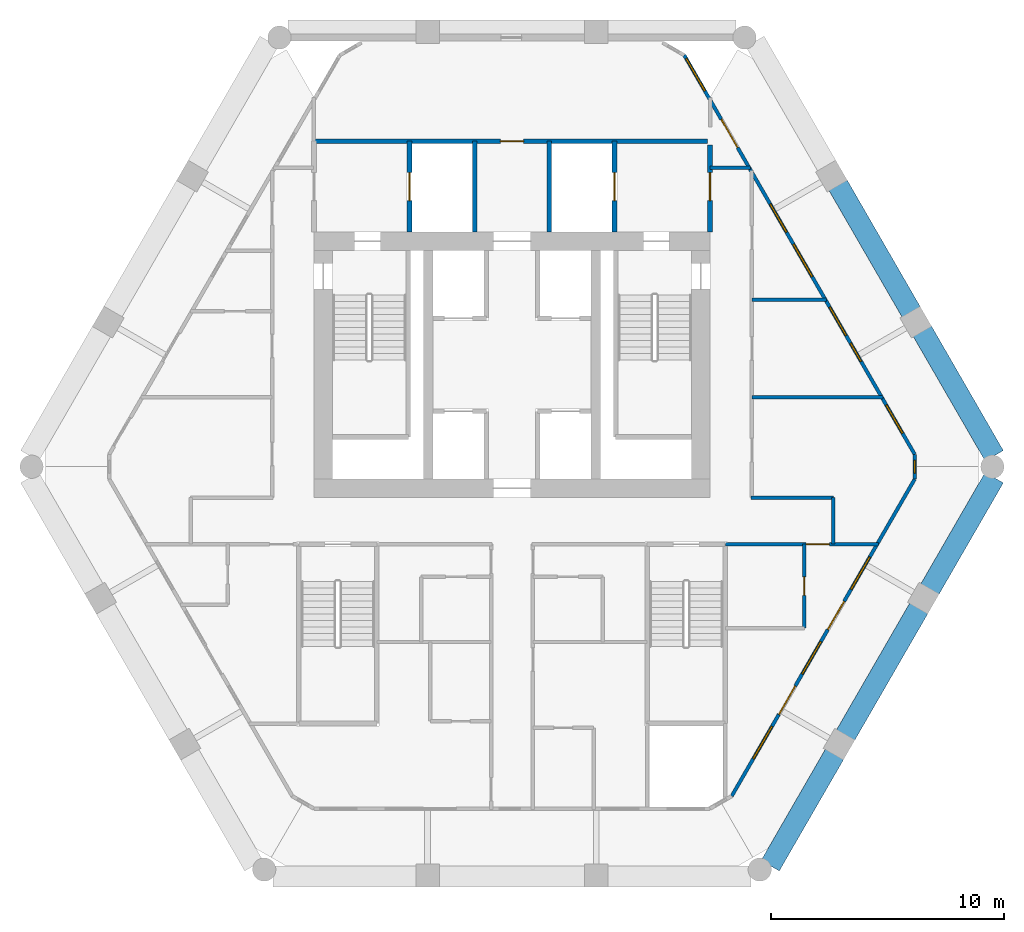
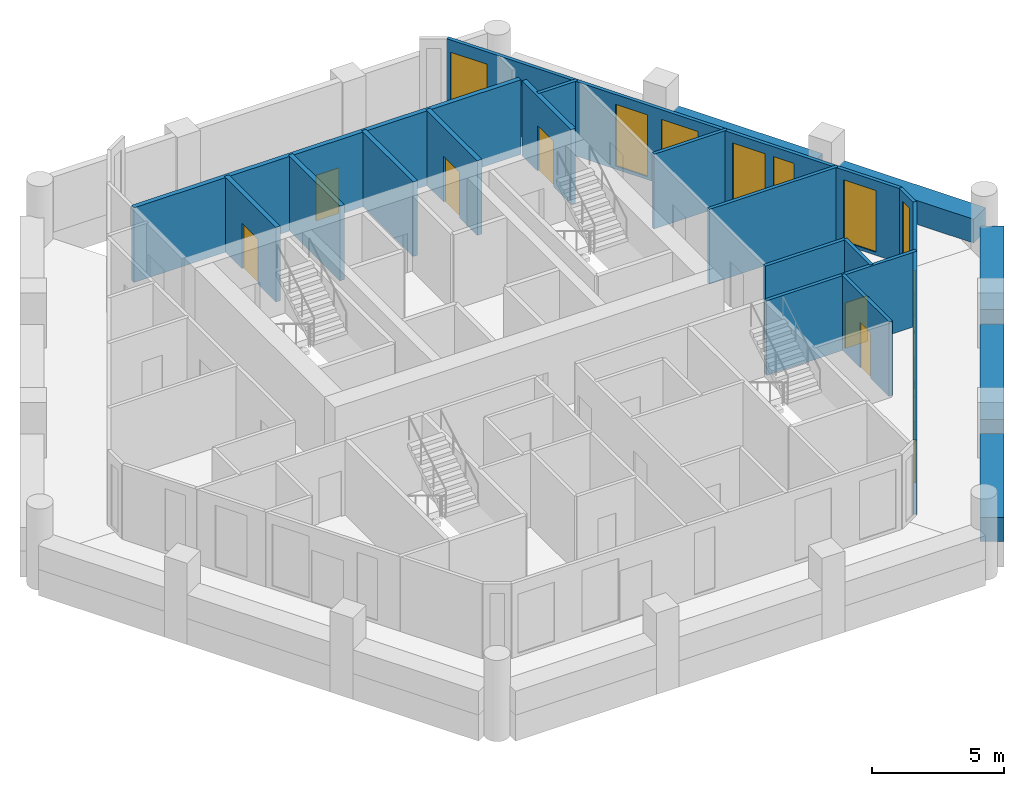
# One storey, part 5 of 7: 21 walls, 10 windows, 9 doors, 19 openings.
"""IFC4 building model written with IfcOpenShell, lengths in metres."""

from ifc_helpers import new_model, si_unit, direction, frame, frame_2d, origin, place, context, subcontext, project, spatial, rectangle, extrude, material, layer, layer_set, type_object, element, fill, save


model = new_model("IFC4")

# Units and contexts
model_context = context("Model", 3, precision=1e-05, world=origin(), true_north=direction((0.0, 1.0)))
body_context = subcontext(model_context, "Body", "Model", "MODEL_VIEW")
ifc_project = project(units=[si_unit("LENGTHUNIT", "METRE"), si_unit("AREAUNIT", "SQUARE_METRE"), si_unit("VOLUMEUNIT", "CUBIC_METRE"), si_unit("PLANEANGLEUNIT", "RADIAN"), si_unit("MASSUNIT", "GRAM", prefix="KILO")], contexts=[model_context])

# Site, building, storey
site_placement = place(None, origin())
site = spatial("IfcSite", under=ifc_project, at=site_placement, CompositionType="ELEMENT")
building_placement = place(site_placement, origin())
building = spatial("IfcBuilding", under=site, at=building_placement, Name="Ostrander Bayou Hotel Tower", CompositionType="ELEMENT")
storey_placement = place(building_placement, frame((0.0, 0.0, 172.0)))
storey = spatial("IfcBuildingStorey", under=building, at=storey_placement, Name="L42", CompositionType="ELEMENT", Elevation=172.0)

# Wall, openings, doors, windows
ifc_material_1 = material(Name="Aluminium framed insulated wall", Category="aluminium")
ifc_layer_1 = layer(ifc_material_1, 0.14990234375)
ifc_layer_set_1 = layer_set([ifc_layer_1], Name="GW1 glass-line wall 150 mm")
wall_type_1 = type_object("IfcWallType", Name="GW1 glass-line wall 150 mm", PredefinedType="SOLIDWALL", material=ifc_layer_set_1)
wall_1_placement = place(storey_placement, frame((9.430419921875, -14.51611328125, 0.0), z_axis=(0.0, 0.0, 1.0), x_axis=(0.500004460396, 0.866022828558, 0.0)))
wall_1 = element("IfcWall", 1, at=wall_1_placement, inside=storey, type_object=wall_type_1, Name="GW1 L42 SE 1", PredefinedType="SOLIDWALL", context=body_context, shape_type="SweptSolid", body=[
    extrude(rectangle(XDim=15.712158203125, YDim=0.14990234375, at=frame_2d((7.85595703125, 0.0))), origin(), (0.0, 0.0, 1.0), 3.449951171875),
])
opening_1_placement = place(wall_1_placement, frame((1.856201171875, 0.0, 0.14990234375)))
opening_1 = element("IfcOpeningElement", 2, at=opening_1_placement, cuts=wall_1, Name="Opening W3", PredefinedType="OPENING", context=body_context, shape_type="SweptSolid", body=[
    extrude(rectangle(XDim=1.60009765625, YDim=2.85009765625, at=frame_2d((0.800048828125, 1.425048828125))), frame((0.0, 0.074951171875, 0.0), z_axis=(0.0, -1.0, 0.0), x_axis=(1.0, 0.0, 0.0)), (0.0, 0.0, 1.0), 0.14990234375),
])
opening_2_placement = place(wall_1_placement, frame((4.05615234375, 0.0, 0.0)))
opening_2 = element("IfcOpeningElement", 3, at=opening_2_placement, cuts=wall_1, Name="Opening T41-804", PredefinedType="OPENING", context=body_context, shape_type="SweptSolid", body=[
    extrude(rectangle(XDim=1.39990234375, YDim=2.39990234375, at=frame_2d((0.699951171875, 1.199951171875))), frame((0.0, 0.074951171875, 0.0), z_axis=(0.0, -1.0, 0.0), x_axis=(1.0, 0.0, 0.0)), (0.0, 0.0, 1.0), 0.14990234375),
])
opening_3_placement = place(wall_1_placement, frame((6.05615234375, 0.0, 0.14990234375)))
opening_3 = element("IfcOpeningElement", 4, at=opening_3_placement, cuts=wall_1, Name="Opening W3", PredefinedType="OPENING", context=body_context, shape_type="SweptSolid", body=[
    extrude(rectangle(XDim=1.60009765625, YDim=2.85009765625, at=frame_2d((0.800048828125, 1.425048828125))), frame((0.0, 0.074951171875, 0.0), z_axis=(0.0, -1.0, 0.0), x_axis=(1.0, 0.0, 0.0)), (0.0, 0.0, 1.0), 0.14990234375),
])
opening_4_placement = place(wall_1_placement, frame((8.256103515625, 0.0, 0.0)))
opening_4 = element("IfcOpeningElement", 5, at=opening_4_placement, cuts=wall_1, Name="Opening T41-805", PredefinedType="OPENING", context=body_context, shape_type="SweptSolid", body=[
    extrude(rectangle(XDim=1.39990234375, YDim=2.39990234375, at=frame_2d((0.699951171875, 1.199951171875))), frame((0.0, 0.074951171875, 0.0), z_axis=(0.0, -1.0, 0.0), x_axis=(1.0, 0.0, 0.0)), (0.0, 0.0, 1.0), 0.14990234375),
])
opening_5_placement = place(wall_1_placement, frame((10.256103515625, 0.0, 0.14990234375)))
opening_5 = element("IfcOpeningElement", 6, at=opening_5_placement, cuts=wall_1, Name="Opening W3", PredefinedType="OPENING", context=body_context, shape_type="SweptSolid", body=[
    extrude(rectangle(XDim=1.60009765625, YDim=2.85009765625, at=frame_2d((0.800048828125, 1.425048828125))), frame((0.0, 0.074951171875, 0.0), z_axis=(0.0, -1.0, 0.0), x_axis=(1.0, 0.0, 0.0)), (0.0, 0.0, 1.0), 0.14990234375),
])
ifc_material_2 = material(Name="Aluminium and clear glass", Category="aluminium")
door_type_1 = type_object("IfcDoorType", Name="SD3 sliding glass door 1400 mm, zone 3", OperationType="SLIDING_TO_LEFT", PredefinedType="DOOR", material=ifc_material_2)
door_1_placement = place(opening_2_placement, origin())
door_1 = element("IfcDoor", 7, at=door_1_placement, inside=storey, type_object=door_type_1, Name="SD3 L42 SE 1", OperationType="SLIDING_TO_LEFT", OverallHeight=2.39990234375, OverallWidth=1.39990234375, PredefinedType="DOOR", context=body_context, shape_type="SweptSolid", body=[
    extrude(rectangle(XDim=1.39990234375, YDim=2.39990234375, at=frame_2d((0.699951171875, 1.199951171875))), frame((0.0, 0.02490234375, 0.0), z_axis=(0.0, -1.0, 0.0), x_axis=(1.0, 0.0, 0.0)), (0.0, 0.0, 1.0), 0.050048828125),
])
fill(opening_2, door_1)
door_2_placement = place(opening_4_placement, origin())
door_2 = element("IfcDoor", 8, at=door_2_placement, inside=storey, type_object=door_type_1, Name="SD3 L42 SE 2", OperationType="SLIDING_TO_RIGHT", OverallHeight=2.39990234375, OverallWidth=1.39990234375, PredefinedType="DOOR", context=body_context, shape_type="SweptSolid", body=[
    extrude(rectangle(XDim=1.39990234375, YDim=2.39990234375, at=frame_2d((0.699951171875, 1.199951171875))), frame((0.0, 0.02490234375, 0.0), z_axis=(0.0, -1.0, 0.0), x_axis=(1.0, 0.0, 0.0)), (0.0, 0.0, 1.0), 0.050048828125),
])
fill(opening_4, door_2)
ifc_material_3 = material(Name="Aluminium and clear glass", Category="aluminium")
window_type_1 = type_object("IfcWindowType", Name="W3 fixed window 1600 mm, zone 3", PartitioningType="SINGLE_PANEL", PredefinedType="WINDOW", material=ifc_material_3)
window_1_placement = place(opening_1_placement, origin())
window_1 = element("IfcWindow", 9, at=window_1_placement, inside=storey, type_object=window_type_1, Name="W3 L42 SE 1", OverallHeight=2.85009765625, OverallWidth=1.60009765625, PartitioningType="SINGLE_PANEL", PredefinedType="WINDOW", context=body_context, shape_type="SweptSolid", body=[
    extrude(rectangle(XDim=1.60009765625, YDim=2.85009765625, at=frame_2d((0.800048828125, 1.425048828125))), frame((0.0, 0.030029296875, 0.0), z_axis=(0.0, -1.0, 0.0), x_axis=(1.0, 0.0, 0.0)), (0.0, 0.0, 1.0), 0.06005859375),
])
fill(opening_1, window_1)
window_2_placement = place(opening_3_placement, origin())
window_2 = element("IfcWindow", 10, at=window_2_placement, inside=storey, type_object=window_type_1, Name="W3 L42 SE 2", OverallHeight=2.85009765625, OverallWidth=1.60009765625, PartitioningType="SINGLE_PANEL", PredefinedType="WINDOW", context=body_context, shape_type="SweptSolid", body=[
    extrude(rectangle(XDim=1.60009765625, YDim=2.85009765625, at=frame_2d((0.800048828125, 1.425048828125))), frame((0.0, 0.030029296875, 0.0), z_axis=(0.0, -1.0, 0.0), x_axis=(1.0, 0.0, 0.0)), (0.0, 0.0, 1.0), 0.06005859375),
])
fill(opening_3, window_2)
window_3_placement = place(opening_5_placement, origin())
window_3 = element("IfcWindow", 11, at=window_3_placement, inside=storey, type_object=window_type_1, Name="W3 L42 SE 3", OverallHeight=2.85009765625, OverallWidth=1.60009765625, PartitioningType="SINGLE_PANEL", PredefinedType="WINDOW", context=body_context, shape_type="SweptSolid", body=[
    extrude(rectangle(XDim=1.60009765625, YDim=2.85009765625, at=frame_2d((0.800048828125, 1.425048828125))), frame((0.0, 0.030029296875, 0.0), z_axis=(0.0, -1.0, 0.0), x_axis=(1.0, 0.0, 0.0)), (0.0, 0.0, 1.0), 0.06005859375),
])
fill(opening_5, window_3)

# Wall, openings, door, windows
wall_2_placement = place(storey_placement, frame((17.28662109375, 0.156005859375, 0.0), z_axis=(0.0, 0.0, 1.0), x_axis=(-0.500001917853, 0.866024296509, 0.0)))
wall_2 = element("IfcWall", 12, at=wall_2_placement, inside=storey, type_object=wall_type_1, Name="GW1 L42 NE 1", PredefinedType="SOLIDWALL", context=body_context, shape_type="SweptSolid", body=[
    extrude(rectangle(XDim=19.78759765625, YDim=0.14990234375, at=frame_2d((9.893798828125, 0.0))), origin(), (0.0, 0.0, 1.0), 3.449951171875),
])
opening_6_placement = place(wall_2_placement, frame((1.046142578125, 0.0, 0.14990234375)))
opening_6 = element("IfcOpeningElement", 13, at=opening_6_placement, cuts=wall_2, Name="Opening W13", PredefinedType="OPENING", context=body_context, shape_type="SweptSolid", body=[
    extrude(rectangle(XDim=1.39990234375, YDim=2.85009765625, at=frame_2d((0.699951171875, 1.425048828125))), frame((0.0, 0.074951171875, 0.0), z_axis=(0.0, -1.0, 0.0), x_axis=(1.0, 0.0, 0.0)), (0.0, 0.0, 1.0), 0.14990234375),
])
opening_7_placement = place(wall_2_placement, frame((4.608154296875, 0.0, 0.14990234375)))
opening_7 = element("IfcOpeningElement", 14, at=opening_7_placement, cuts=wall_2, Name="Opening W17", PredefinedType="OPENING", context=body_context, shape_type="SweptSolid", body=[
    extrude(rectangle(XDim=0.89990234375, YDim=2.85009765625, at=frame_2d((0.449951171875, 1.425048828125))), frame((0.0, 0.074951171875, 0.0), z_axis=(0.0, -1.0, 0.0), x_axis=(1.0, 0.0, 0.0)), (0.0, 0.0, 1.0), 0.14990234375),
])
opening_8_placement = place(wall_2_placement, frame((5.8955078125, 0.0, 0.14990234375)))
opening_8 = element("IfcOpeningElement", 15, at=opening_8_placement, cuts=wall_2, Name="Opening W13", PredefinedType="OPENING", context=body_context, shape_type="SweptSolid", body=[
    extrude(rectangle(XDim=1.39990234375, YDim=2.85009765625, at=frame_2d((0.699951171875, 1.425048828125))), frame((0.0, 0.074951171875, 0.0), z_axis=(0.0, -1.0, 0.0), x_axis=(1.0, 0.0, 0.0)), (0.0, 0.0, 1.0), 0.14990234375),
])
opening_9_placement = place(wall_2_placement, frame((8.80810546875, 0.0, 0.14990234375)))
opening_9 = element("IfcOpeningElement", 16, at=opening_9_placement, cuts=wall_2, Name="Opening W3", PredefinedType="OPENING", context=body_context, shape_type="SweptSolid", body=[
    extrude(rectangle(XDim=1.60009765625, YDim=2.85009765625, at=frame_2d((0.800048828125, 1.425048828125))), frame((0.0, 0.074951171875, 0.0), z_axis=(0.0, -1.0, 0.0), x_axis=(1.0, 0.0, 0.0)), (0.0, 0.0, 1.0), 0.14990234375),
])
opening_10_placement = place(wall_2_placement, frame((11.008056640625, 0.0, 0.14990234375)))
opening_10 = element("IfcOpeningElement", 17, at=opening_10_placement, cuts=wall_2, Name="Opening W13", PredefinedType="OPENING", context=body_context, shape_type="SweptSolid", body=[
    extrude(rectangle(XDim=1.39990234375, YDim=2.85009765625, at=frame_2d((0.699951171875, 1.425048828125))), frame((0.0, 0.074951171875, 0.0), z_axis=(0.0, -1.0, 0.0), x_axis=(1.0, 0.0, 0.0)), (0.0, 0.0, 1.0), 0.14990234375),
])
opening_11_placement = place(wall_2_placement, frame((15.2080078125, 0.0, 0.0)))
opening_11 = element("IfcOpeningElement", 18, at=opening_11_placement, cuts=wall_2, Name="Opening T41-806", PredefinedType="OPENING", context=body_context, shape_type="SweptSolid", body=[
    extrude(rectangle(XDim=1.39990234375, YDim=2.39990234375, at=frame_2d((0.699951171875, 1.199951171875))), frame((0.0, 0.074951171875, 0.0), z_axis=(0.0, -1.0, 0.0), x_axis=(1.0, 0.0, 0.0)), (0.0, 0.0, 1.0), 0.14990234375),
])
opening_12_placement = place(wall_2_placement, frame((18.019287109375, 0.0, 0.14990234375)))
opening_12 = element("IfcOpeningElement", 19, at=opening_12_placement, cuts=wall_2, Name="Opening W3", PredefinedType="OPENING", context=body_context, shape_type="SweptSolid", body=[
    extrude(rectangle(XDim=1.60009765625, YDim=2.72998046875, at=frame_2d((0.800048828125, 1.364990234375))), frame((0.0, 0.074951171875, 0.0), z_axis=(0.0, -1.0, 0.0), x_axis=(1.0, 0.0, 0.0)), (0.0, 0.0, 1.0), 0.14990234375),
])
door_3_placement = place(opening_11_placement, origin())
door_3 = element("IfcDoor", 20, at=door_3_placement, inside=storey, type_object=door_type_1, Name="SD3 L42 NE 4", OperationType="SLIDING_TO_RIGHT", OverallHeight=2.39990234375, OverallWidth=1.39990234375, PredefinedType="DOOR", context=body_context, shape_type="SweptSolid", body=[
    extrude(rectangle(XDim=1.39990234375, YDim=2.39990234375, at=frame_2d((0.699951171875, 1.199951171875))), frame((0.0, 0.02490234375, 0.0), z_axis=(0.0, -1.0, 0.0), x_axis=(1.0, 0.0, 0.0)), (0.0, 0.0, 1.0), 0.050048828125),
])
fill(opening_11, door_3)
ifc_material_4 = material(Name="Aluminium and clear glass", Category="aluminium")
window_type_2 = type_object("IfcWindowType", Name="W13 fixed window 1400 mm, bath bay, zone 3", PartitioningType="SINGLE_PANEL", PredefinedType="WINDOW", material=ifc_material_4)
window_4_placement = place(opening_6_placement, origin())
window_4 = element("IfcWindow", 21, at=window_4_placement, inside=storey, type_object=window_type_2, Name="W13 L42 NE 1", OverallHeight=2.85009765625, OverallWidth=1.39990234375, PartitioningType="SINGLE_PANEL", PredefinedType="WINDOW", context=body_context, shape_type="SweptSolid", body=[
    extrude(rectangle(XDim=1.39990234375, YDim=2.85009765625, at=frame_2d((0.699951171875, 1.425048828125))), frame((0.0, 0.030029296875, 0.0), z_axis=(0.0, -1.0, 0.0), x_axis=(1.0, 0.0, 0.0)), (0.0, 0.0, 1.0), 0.06005859375),
])
fill(opening_6, window_4)
window_5_placement = place(opening_8_placement, origin())
window_5 = element("IfcWindow", 22, at=window_5_placement, inside=storey, type_object=window_type_2, Name="W13 L42 NE 2", OverallHeight=2.85009765625, OverallWidth=1.39990234375, PartitioningType="SINGLE_PANEL", PredefinedType="WINDOW", context=body_context, shape_type="SweptSolid", body=[
    extrude(rectangle(XDim=1.39990234375, YDim=2.85009765625, at=frame_2d((0.699951171875, 1.425048828125))), frame((0.0, 0.030029296875, 0.0), z_axis=(0.0, -1.0, 0.0), x_axis=(1.0, 0.0, 0.0)), (0.0, 0.0, 1.0), 0.06005859375),
])
fill(opening_8, window_5)
window_6_placement = place(opening_10_placement, origin())
window_6 = element("IfcWindow", 23, at=window_6_placement, inside=storey, type_object=window_type_2, Name="W13 L42 NE 3", OverallHeight=2.85009765625, OverallWidth=1.39990234375, PartitioningType="SINGLE_PANEL", PredefinedType="WINDOW", context=body_context, shape_type="SweptSolid", body=[
    extrude(rectangle(XDim=1.39990234375, YDim=2.85009765625, at=frame_2d((0.699951171875, 1.425048828125))), frame((0.0, 0.030029296875, 0.0), z_axis=(0.0, -1.0, 0.0), x_axis=(1.0, 0.0, 0.0)), (0.0, 0.0, 1.0), 0.06005859375),
])
fill(opening_10, window_6)
ifc_material_5 = material(Name="Aluminium and clear glass", Category="aluminium")
window_type_3 = type_object("IfcWindowType", Name="W17 window 900 mm, zone 3", PartitioningType="SINGLE_PANEL", PredefinedType="WINDOW", material=ifc_material_5)
window_7_placement = place(opening_7_placement, origin())
window_7 = element("IfcWindow", 24, at=window_7_placement, inside=storey, type_object=window_type_3, Name="W17 L42 NE 2", OverallHeight=2.85009765625, OverallWidth=0.89990234375, PartitioningType="SINGLE_PANEL", PredefinedType="WINDOW", context=body_context, shape_type="SweptSolid", body=[
    extrude(rectangle(XDim=0.89990234375, YDim=2.85009765625, at=frame_2d((0.449951171875, 1.425048828125))), frame((0.0, 0.030029296875, 0.0), z_axis=(0.0, -1.0, 0.0), x_axis=(1.0, 0.0, 0.0)), (0.0, 0.0, 1.0), 0.06005859375),
])
fill(opening_7, window_7)
window_8_placement = place(opening_9_placement, origin())
window_8 = element("IfcWindow", 25, at=window_8_placement, inside=storey, type_object=window_type_1, Name="W3 L42 NE 3", OverallHeight=2.85009765625, OverallWidth=1.60009765625, PartitioningType="SINGLE_PANEL", PredefinedType="WINDOW", context=body_context, shape_type="SweptSolid", body=[
    extrude(rectangle(XDim=1.60009765625, YDim=2.85009765625, at=frame_2d((0.800048828125, 1.425048828125))), frame((0.0, 0.030029296875, 0.0), z_axis=(0.0, -1.0, 0.0), x_axis=(1.0, 0.0, 0.0)), (0.0, 0.0, 1.0), 0.06005859375),
])
fill(opening_9, window_8)
window_9_placement = place(opening_12_placement, origin())
window_9 = element("IfcWindow", 26, at=window_9_placement, inside=storey, type_object=window_type_1, Name="W3 L42 NE E22", OverallHeight=2.72998046875, OverallWidth=1.60009765625, PartitioningType="SINGLE_PANEL", PredefinedType="WINDOW", context=body_context, shape_type="SweptSolid", body=[
    extrude(rectangle(XDim=1.60009765625, YDim=2.72998046875, at=frame_2d((0.800048828125, 1.364990234375))), frame((0.0, 0.030029296875, 0.0), z_axis=(0.0, -1.0, 0.0), x_axis=(1.0, 0.0, 0.0)), (0.0, 0.0, 1.0), 0.06005859375),
])
fill(opening_12, window_9)

# Wall, opening, window
wall_3_placement = place(storey_placement, frame((17.28662109375, -0.908935546875, 0.0), z_axis=(0.0, 0.0, 1.0), x_axis=(0.0, 1.0, 0.0)))
wall_3 = element("IfcWall", 27, at=wall_3_placement, inside=storey, type_object=wall_type_1, Name="GW1 L42 corner 5", PredefinedType="SOLIDWALL", context=body_context, shape_type="SweptSolid", body=[
    extrude(rectangle(XDim=1.06494140625, YDim=0.14990234375, at=frame_2d((0.532470703125, 0.0))), origin(), (0.0, 0.0, 1.0), 3.449951171875),
])
opening_13_placement = place(wall_3_placement, frame((0.257568359375, 0.0, 0.14990234375)))
opening_13 = element("IfcOpeningElement", 28, at=opening_13_placement, cuts=wall_3, Name="Opening W19", PredefinedType="OPENING", context=body_context, shape_type="SweptSolid", body=[
    extrude(rectangle(XDim=0.550048828125, YDim=2.85009765625, at=frame_2d((0.27490234375, 1.425048828125))), frame((0.0, 0.074951171875, 0.0), z_axis=(0.0, -1.0, 0.0), x_axis=(1.0, 0.0, 0.0)), (0.0, 0.0, 1.0), 0.14990234375),
])
ifc_material_6 = material(Name="Aluminium and clear glass", Category="aluminium")
window_type_4 = type_object("IfcWindowType", Name="W19 corner window 550 mm", PartitioningType="SINGLE_PANEL", PredefinedType="WINDOW", material=ifc_material_6)
window_10_placement = place(opening_13_placement, origin())
window_10 = element("IfcWindow", 29, at=window_10_placement, inside=storey, type_object=window_type_4, Name="W19 L42 corner 5", OverallHeight=2.85009765625, OverallWidth=0.550048828125, PartitioningType="SINGLE_PANEL", PredefinedType="WINDOW", context=body_context, shape_type="SweptSolid", body=[
    extrude(rectangle(XDim=0.550048828125, YDim=2.85009765625, at=frame_2d((0.27490234375, 1.425048828125))), frame((0.0, 0.030029296875, 0.0), z_axis=(0.0, -1.0, 0.0), x_axis=(1.0, 0.0, 0.0)), (0.0, 0.0, 1.0), 0.06005859375),
])
fill(opening_13, window_10)

# Walls
ifc_material_7 = material(Name="Concrete f'c 40 MPa", Category="concrete")
ifc_layer_2 = layer(ifc_material_7, 0.89990234375)
ifc_layer_set_2 = layer_set([ifc_layer_2], Name="PA1 stone-faced parapet 900 mm")
wall_type_2 = type_object("IfcWallType", Name="PA1 stone-faced parapet 900 mm", PredefinedType="PARAPET", material=ifc_layer_set_2)
wall_4_placement = place(storey_placement, frame((20.7001953125, 0.09326171875, 0.0), z_axis=(0.0, 0.0, 1.0), x_axis=(-0.500000533151, 0.866025095969, 0.0)))
element("IfcWall", 30, at=wall_4_placement, inside=storey, type_object=wall_type_2, Name="PA1 L42 NE-1", PredefinedType="PARAPET", context=body_context, shape_type="SweptSolid", body=[
    extrude(rectangle(XDim=6.18115234375, YDim=0.89990234375, at=frame_2d((3.090576171875, 0.0))), origin(), (0.0, 0.0, 1.0), 1.10009765625),
])
wall_5_placement = place(storey_placement, frame((17.1396484375, 6.260498046875, 0.0), z_axis=(0.0, 0.0, 1.0), x_axis=(-0.499984268907, 0.866034485945, 0.0)))
element("IfcWall", 31, at=wall_5_placement, inside=storey, type_object=wall_type_2, Name="PA1 L42 NE-2", PredefinedType="PARAPET", context=body_context, shape_type="SweptSolid", body=[
    extrude(rectangle(XDim=6.296142578125, YDim=0.89990234375, at=frame_2d((3.14794921875, 0.0))), origin(), (0.0, 0.0, 1.0), 1.10009765625),
])
ifc_material_8 = material(Name="Limestone masonry", Category="masonry")
ifc_layer_3 = layer(ifc_material_8, 0.89990234375)
ifc_layer_set_3 = layer_set([ifc_layer_3], Name="PA2 limestone parapet 900 mm")
wall_type_3 = type_object("IfcWallType", Name="PA2 limestone parapet 900 mm", PredefinedType="PARAPET", material=ifc_layer_set_3)
wall_6_placement = place(storey_placement, frame((11.0830078125, -17.50390625, 0.0), z_axis=(0.0, 0.0, 1.0), x_axis=(0.499961976493, 0.866047355554, 0.0)))
element("IfcWall", 32, at=wall_6_placement, inside=storey, type_object=wall_type_3, Name="PA2 L42 SE-1", PredefinedType="PARAPET", context=body_context, shape_type="SweptSolid", body=[
    extrude(rectangle(XDim=5.529296875, YDim=0.89990234375, at=frame_2d((2.7646484375, 0.0))), origin(), (0.0, 0.0, 1.0), 1.10009765625),
])
wall_7_placement = place(storey_placement, frame((14.3173828125, -11.9013671875, 0.0), z_axis=(0.0, 0.0, 1.0), x_axis=(0.500013351051, 0.866017695414, 0.0)))
element("IfcWall", 33, at=wall_7_placement, inside=storey, type_object=wall_type_3, Name="PA2 L42 SE-2", PredefinedType="PARAPET", context=body_context, shape_type="SweptSolid", body=[
    extrude(rectangle(XDim=6.296142578125, YDim=0.89990234375, at=frame_2d((3.14794921875, 0.0))), origin(), (0.0, 0.0, 1.0), 1.10009765625),
])
wall_8_placement = place(storey_placement, frame((17.935546875, -5.634521484375, 0.0), z_axis=(0.0, 0.0, 1.0), x_axis=(0.500014212531, 0.86601719802, 0.0)))
element("IfcWall", 34, at=wall_8_placement, inside=storey, type_object=wall_type_3, Name="PA2 L42 SE-3", PredefinedType="PARAPET", context=body_context, shape_type="SweptSolid", body=[
    extrude(rectangle(XDim=5.529052734375, YDim=0.89990234375, at=frame_2d((2.7646484375, 0.0))), origin(), (0.0, 0.0, 1.0), 1.10009765625),
])

# Wall, opening, door
ifc_material_9 = material(Name="Masonry block", Category="masonry")
ifc_layer_4 = layer(ifc_material_9, 0.199951171875)
ifc_layer_set_4 = layer_set([ifc_layer_4], Name="PT5 stair enclosure wall 200 mm masonry, 2 hour")
wall_type_4 = type_object("IfcWallType", Name="PT5 stair enclosure wall 200 mm masonry, 2 hour", PredefinedType="PARTITIONING", material=ifc_layer_set_4)
wall_9_placement = place(storey_placement, frame((-8.5, 13.60009765625, 0.0), z_axis=(0.0, 0.0, 1.0), x_axis=(1.0, 0.0, 0.0)))
wall_9 = element("IfcWall", 35, at=wall_9_placement, inside=storey, type_object=wall_type_4, Name="cs:L42:023", PredefinedType="PARTITIONING", context=body_context, shape_type="SweptSolid", body=[
    extrude(rectangle(XDim=16.898681640625, YDim=0.199951171875, at=frame_2d((8.44921875, 0.0))), origin(), (0.0, 0.0, 1.0), 3.449951171875),
])
opening_14_placement = place(wall_9_placement, frame((8.0, 0.0, 0.0)))
opening_14 = element("IfcOpeningElement", 36, at=opening_14_placement, cuts=wall_9, Name="Opening T41-017", PredefinedType="OPENING", context=body_context, shape_type="SweptSolid", body=[
    extrude(rectangle(XDim=1.0, YDim=2.10009765625, at=frame_2d((0.5, 1.050048828125))), frame((0.0, 0.10009765625, 0.0), z_axis=(0.0, -1.0, 0.0), x_axis=(1.0, 0.0, 0.0)), (0.0, 0.0, 1.0), 0.199951171875),
])
ifc_material_10 = material(Name="Timber door leaf", Category="wood")
door_type_2 = type_object("IfcDoorType", Name="D9 service door 1000 x 2100 mm, 30 minute", OperationType="SINGLE_SWING_LEFT", PredefinedType="DOOR", material=ifc_material_10)
door_4_placement = place(opening_14_placement, origin())
door_4 = element("IfcDoor", 37, at=door_4_placement, inside=storey, type_object=door_type_2, Name="dr:L42:017", OperationType="SINGLE_SWING_LEFT", OverallHeight=2.10009765625, OverallWidth=1.0, PredefinedType="DOOR", context=body_context, shape_type="SweptSolid", body=[
    extrude(rectangle(XDim=1.0, YDim=2.10009765625, at=frame_2d((0.5, 1.050048828125))), frame((0.0, 0.02490234375, 0.0), z_axis=(0.0, -1.0, 0.0), x_axis=(1.0, 0.0, 0.0)), (0.0, 0.0, 1.0), 0.050048828125),
])
fill(opening_14, door_4)

wall_10_placement = place(storey_placement, frame((8.5, 9.699951171875, 0.0), z_axis=(0.0, 0.0, 1.0), x_axis=(0.0, 1.0, 0.0)))
wall_10 = element("IfcWall", 38, at=wall_10_placement, inside=storey, type_object=wall_type_4, Name="cs:L42:025", PredefinedType="PARTITIONING", context=body_context, shape_type="SweptSolid", body=[
    extrude(rectangle(XDim=3.724853515625, YDim=0.199951171875, at=frame_2d((1.8623046875, 0.0))), origin(), (0.0, 0.0, 1.0), 3.449951171875),
])
opening_15_placement = place(wall_10_placement, frame((1.35009765625, 0.0, 0.0)))
opening_15 = element("IfcOpeningElement", 39, at=opening_15_placement, cuts=wall_10, Name="Opening T41-016", PredefinedType="OPENING", context=body_context, shape_type="SweptSolid", body=[
    extrude(rectangle(XDim=1.199951171875, YDim=2.10009765625, at=frame_2d((0.60009765625, 1.050048828125))), frame((0.0, 0.10009765625, 0.0), z_axis=(0.0, -1.0, 0.0), x_axis=(1.0, 0.0, 0.0)), (0.0, 0.0, 1.0), 0.199951171875),
])
ifc_material_11 = material(Name="Timber door leaf", Category="wood")
door_type_3 = type_object("IfcDoorType", Name="D7 lobby door 1200 x 2100 mm, 1 hour", OperationType="SINGLE_SWING_LEFT", PredefinedType="DOOR", material=ifc_material_11)
door_5_placement = place(opening_15_placement, origin())
door_5 = element("IfcDoor", 40, at=door_5_placement, inside=storey, type_object=door_type_3, Name="dr:L42:016", OperationType="SINGLE_SWING_LEFT", OverallHeight=2.10009765625, OverallWidth=1.199951171875, PredefinedType="DOOR", context=body_context, shape_type="SweptSolid", body=[
    extrude(rectangle(XDim=1.199951171875, YDim=2.10009765625, at=frame_2d((0.60009765625, 1.050048828125))), frame((0.0, 0.02490234375, 0.0), z_axis=(0.0, -1.0, 0.0), x_axis=(1.0, 0.0, 0.0)), (0.0, 0.0, 1.0), 0.050048828125),
])
fill(opening_15, door_5)

wall_11_placement = place(storey_placement, frame((-4.39990234375, 9.699951171875, 0.0), z_axis=(0.0, 0.0, 1.0), x_axis=(0.0, 1.0, 0.0)))
wall_11 = element("IfcWall", 41, at=wall_11_placement, inside=storey, type_object=wall_type_4, Name="cs:L42:026", PredefinedType="PARTITIONING", context=body_context, shape_type="SweptSolid", body=[
    extrude(rectangle(XDim=3.900146484375, YDim=0.199951171875, at=frame_2d((1.9501953125, 0.0))), origin(), (0.0, 0.0, 1.0), 3.449951171875),
])
opening_16_placement = place(wall_11_placement, frame((1.35009765625, 0.0, 0.0)))
opening_16 = element("IfcOpeningElement", 42, at=opening_16_placement, cuts=wall_11, Name="Opening T41-013", PredefinedType="OPENING", context=body_context, shape_type="SweptSolid", body=[
    extrude(rectangle(XDim=1.199951171875, YDim=2.10009765625, at=frame_2d((0.60009765625, 1.050048828125))), frame((0.0, 0.10009765625, 0.0), z_axis=(0.0, -1.0, 0.0), x_axis=(1.0, 0.0, 0.0)), (0.0, 0.0, 1.0), 0.199951171875),
])
ifc_material_12 = material(Name="Stainless steel sliding door", Category="steel")
door_type_4 = type_object("IfcDoorType", Name="LD1 lift landing door 1200 x 2100 mm", OperationType="SINGLE_SWING_LEFT", PredefinedType="DOOR", material=ifc_material_12)
door_6_placement = place(opening_16_placement, origin())
door_6 = element("IfcDoor", 43, at=door_6_placement, inside=storey, type_object=door_type_4, Name="dr:L42:013", OperationType="SLIDING_TO_LEFT", OverallHeight=2.10009765625, OverallWidth=1.199951171875, PredefinedType="DOOR", context=body_context, shape_type="SweptSolid", body=[
    extrude(rectangle(XDim=1.199951171875, YDim=2.10009765625, at=frame_2d((0.60009765625, 1.050048828125))), frame((0.0, 0.02490234375, 0.0), z_axis=(0.0, -1.0, 0.0), x_axis=(1.0, 0.0, 0.0)), (0.0, 0.0, 1.0), 0.050048828125),
])
fill(opening_16, door_6)

wall_12_placement = place(storey_placement, frame((4.39990234375, 9.699951171875, 0.0), z_axis=(0.0, 0.0, 1.0), x_axis=(0.0, 1.0, 0.0)))
wall_12 = element("IfcWall", 44, at=wall_12_placement, inside=storey, type_object=wall_type_4, Name="cs:L42:027", PredefinedType="PARTITIONING", context=body_context, shape_type="SweptSolid", body=[
    extrude(rectangle(XDim=3.900146484375, YDim=0.199951171875, at=frame_2d((1.9501953125, 0.0))), origin(), (0.0, 0.0, 1.0), 3.449951171875),
])
opening_17_placement = place(wall_12_placement, frame((1.35009765625, 0.0, 0.0)))
opening_17 = element("IfcOpeningElement", 45, at=opening_17_placement, cuts=wall_12, Name="Opening T41-015", PredefinedType="OPENING", context=body_context, shape_type="SweptSolid", body=[
    extrude(rectangle(XDim=1.199951171875, YDim=2.10009765625, at=frame_2d((0.60009765625, 1.050048828125))), frame((0.0, 0.10009765625, 0.0), z_axis=(0.0, -1.0, 0.0), x_axis=(1.0, 0.0, 0.0)), (0.0, 0.0, 1.0), 0.199951171875),
])
door_7_placement = place(opening_17_placement, origin())
door_7 = element("IfcDoor", 46, at=door_7_placement, inside=storey, type_object=door_type_4, Name="dr:L42:015", OperationType="SLIDING_TO_LEFT", OverallHeight=2.10009765625, OverallWidth=1.199951171875, PredefinedType="DOOR", context=body_context, shape_type="SweptSolid", body=[
    extrude(rectangle(XDim=1.199951171875, YDim=2.10009765625, at=frame_2d((0.60009765625, 1.050048828125))), frame((0.0, 0.02490234375, 0.0), z_axis=(0.0, -1.0, 0.0), x_axis=(1.0, 0.0, 0.0)), (0.0, 0.0, 1.0), 0.050048828125),
])
fill(opening_17, door_7)

# Walls
ifc_material_13 = material(Name="Masonry block", Category="masonry")
ifc_layer_5 = layer(ifc_material_13, 0.199951171875)
ifc_layer_set_5 = layer_set([ifc_layer_5], Name="PT6 lift shaft wall 200 mm masonry, 2 hour")
wall_type_5 = type_object("IfcWallType", Name="PT6 lift shaft wall 200 mm masonry, 2 hour", PredefinedType="PARTITIONING", material=ifc_layer_set_5)
for number, where, z_axis, x_axis, name in (
    (47, (-1.60009765625, 9.699951171875, 0.0), (0.0, 0.0, 1.0), (0.0, 1.0, 0.0), "cs:L42:028"),
    (48, (1.60009765625, 9.699951171875, 0.0), (0.0, 0.0, 1.0), (0.0, 1.0, 0.0), "cs:L42:029"),
):
    element("IfcWall", number, at=place(storey_placement, frame(where, z_axis=z_axis, x_axis=x_axis)), inside=storey, type_object=wall_type_5, Name=name, PredefinedType="PARTITIONING", context=body_context, shape_type="SweptSolid", body=[
        extrude(rectangle(XDim=3.900146484375, YDim=0.199951171875, at=frame_2d((1.9501953125, 0.0))), origin(), (0.0, 0.0, 1.0), 3.449951171875),
    ])

# Wall, opening, door
ifc_material_14 = material(Name="Gypsum board partition", Category="finish")
ifc_layer_6 = layer(ifc_material_14, 0.14990234375)
ifc_layer_set_6 = layer_set([ifc_layer_6], Name="PT8 service band wall 150 mm, 1 hour")
wall_type_6 = type_object("IfcWallType", Name="PT8 service band wall 150 mm, 1 hour", PredefinedType="PARTITIONING", material=ifc_layer_set_6)
wall_13_placement = place(storey_placement, frame((9.159912109375, -3.699951171875, 0.0), z_axis=(0.0, 0.0, 1.0), x_axis=(1.0, 0.0, 0.0)))
wall_13 = element("IfcWall", 49, at=wall_13_placement, inside=storey, type_object=wall_type_6, Name="gw:L42:013", PredefinedType="PARTITIONING", context=body_context, shape_type="SweptSolid", body=[
    extrude(rectangle(XDim=6.567138671875, YDim=0.14990234375, at=frame_2d((3.28369140625, 0.0))), origin(), (0.0, 0.0, 1.0), 3.449951171875),
])
opening_18_placement = place(wall_13_placement, frame((3.465087890625, 0.0, 0.0)))
opening_18 = element("IfcOpeningElement", 50, at=opening_18_placement, cuts=wall_13, Name="Opening T41-410", PredefinedType="OPENING", context=body_context, shape_type="SweptSolid", body=[
    extrude(rectangle(XDim=1.0, YDim=2.10009765625, at=frame_2d((0.5, 1.050048828125))), frame((0.0, 0.074951171875, 0.0), z_axis=(0.0, -1.0, 0.0), x_axis=(1.0, 0.0, 0.0)), (0.0, 0.0, 1.0), 0.14990234375),
])
ifc_material_15 = material(Name="Timber door leaf", Category="wood")
door_type_5 = type_object("IfcDoorType", Name="D1 guest room door 1000 x 2100 mm, 30 minute", OperationType="SINGLE_SWING_LEFT", PredefinedType="DOOR", material=ifc_material_15)
door_8_placement = place(opening_18_placement, origin())
door_8 = element("IfcDoor", 51, at=door_8_placement, inside=storey, type_object=door_type_5, Name="dr:L42:410", OperationType="SINGLE_SWING_RIGHT", OverallHeight=2.10009765625, OverallWidth=1.0, PredefinedType="DOOR", context=body_context, shape_type="SweptSolid", body=[
    extrude(rectangle(XDim=1.0, YDim=2.10009765625, at=frame_2d((0.5, 1.050048828125))), frame((0.0, 0.02490234375, 0.0), z_axis=(0.0, -1.0, 0.0), x_axis=(1.0, 0.0, 0.0)), (0.0, 0.0, 1.0), 0.050048828125),
])
fill(opening_18, door_8)

# Walls
wall_14_placement = place(storey_placement, frame((10.260009765625, -1.699951171875, 0.0), z_axis=(0.0, 0.0, 1.0), x_axis=(1.0, 0.0, 0.0)))
element("IfcWall", 52, at=wall_14_placement, inside=storey, type_object=wall_type_6, Name="gw:L42:015", PredefinedType="PARTITIONING", context=body_context, shape_type="SweptSolid", body=[
    extrude(rectangle(XDim=3.5400390625, YDim=0.14990234375, at=frame_2d((1.77001953125, 0.0))), origin(), (0.0, 0.0, 1.0), 3.449951171875),
])
wall_15_placement = place(storey_placement, frame((10.300048828125, 2.60009765625, 0.0), z_axis=(0.0, 0.0, 1.0), x_axis=(1.0, 0.0, 0.0)))
element("IfcWall", 53, at=wall_15_placement, inside=storey, type_object=wall_type_6, Name="gw:L42:017", PredefinedType="PARTITIONING", context=body_context, shape_type="SweptSolid", body=[
    extrude(rectangle(XDim=5.626953125, YDim=0.14990234375, at=frame_2d((2.8134765625, 0.0))), origin(), (0.0, 0.0, 1.0), 3.449951171875),
])
wall_16_placement = place(storey_placement, frame((10.300048828125, 6.800048828125, 0.0), z_axis=(0.0, 0.0, 1.0), x_axis=(1.0, 0.0, 0.0)))
element("IfcWall", 54, at=wall_16_placement, inside=storey, type_object=wall_type_6, Name="gw:L42:019", PredefinedType="PARTITIONING", context=body_context, shape_type="SweptSolid", body=[
    extrude(rectangle(XDim=3.202880859375, YDim=0.14990234375, at=frame_2d((1.6015625, 0.0))), origin(), (0.0, 0.0, 1.0), 3.449951171875),
])
wall_17_placement = place(storey_placement, frame((8.510009765625, 12.449951171875, 0.0), z_axis=(0.0, 0.0, 1.0), x_axis=(1.0, 0.0, 0.0)))
element("IfcWall", 55, at=wall_17_placement, inside=storey, type_object=wall_type_6, Name="gw:L42:022", PredefinedType="PARTITIONING", context=body_context, shape_type="SweptSolid", body=[
    extrude(rectangle(XDim=1.73095703125, YDim=0.14990234375, at=frame_2d((0.865478515625, 0.0))), origin(), (0.0, 0.0, 1.0), 3.449951171875),
])
wall_18_placement = place(storey_placement, frame((13.800048828125, -3.699951171875, 0.0), z_axis=(0.0, 0.0, 1.0), x_axis=(0.0, 1.0, 0.0)))
element("IfcWall", 56, at=wall_18_placement, inside=storey, type_object=wall_type_6, Name="gw:L42:023", PredefinedType="PARTITIONING", context=body_context, shape_type="SweptSolid", body=[
    extrude(rectangle(XDim=2.0, YDim=0.14990234375, at=frame_2d((1.0, 0.0))), origin(), (0.0, 0.0, 1.0), 3.449951171875),
])

# Wall, opening, door
wall_19_placement = place(storey_placement, frame((12.550048828125, -7.300048828125, 0.0), z_axis=(0.0, 0.0, 1.0), x_axis=(0.0, 1.0, 0.0)))
wall_19 = element("IfcWall", 57, at=wall_19_placement, inside=storey, type_object=wall_type_6, Name="gw:L42:024", PredefinedType="PARTITIONING", context=body_context, shape_type="SweptSolid", body=[
    extrude(rectangle(XDim=3.60009765625, YDim=0.14990234375, at=frame_2d((1.800048828125, 0.0))), origin(), (0.0, 0.0, 1.0), 3.449951171875),
])
opening_19_placement = place(wall_19_placement, frame((1.39990234375, 0.0, 0.0)))
opening_19 = element("IfcOpeningElement", 58, at=opening_19_placement, cuts=wall_19, Name="Opening T41-411", PredefinedType="OPENING", context=body_context, shape_type="SweptSolid", body=[
    extrude(rectangle(XDim=0.800048828125, YDim=2.10009765625, at=frame_2d((0.39990234375, 1.050048828125))), frame((0.0, 0.074951171875, 0.0), z_axis=(0.0, -1.0, 0.0), x_axis=(1.0, 0.0, 0.0)), (0.0, 0.0, 1.0), 0.14990234375),
])
ifc_material_16 = material(Name="Timber door leaf", Category="wood")
door_type_6 = type_object("IfcDoorType", Name="D2 bathroom door 800 x 2100 mm", OperationType="SINGLE_SWING_LEFT", PredefinedType="DOOR", material=ifc_material_16)
door_9_placement = place(opening_19_placement, origin())
door_9 = element("IfcDoor", 59, at=door_9_placement, inside=storey, type_object=door_type_6, Name="dr:L42:411", OperationType="SINGLE_SWING_RIGHT", OverallHeight=2.10009765625, OverallWidth=0.800048828125, PredefinedType="DOOR", context=body_context, shape_type="SweptSolid", body=[
    extrude(rectangle(XDim=0.800048828125, YDim=2.10009765625, at=frame_2d((0.39990234375, 1.050048828125))), frame((0.0, 0.02490234375, 0.0), z_axis=(0.0, -1.0, 0.0), x_axis=(1.0, 0.0, 0.0)), (0.0, 0.0, 1.0), 0.050048828125),
])
fill(opening_19, door_9)

save(model, "model.ifc")
